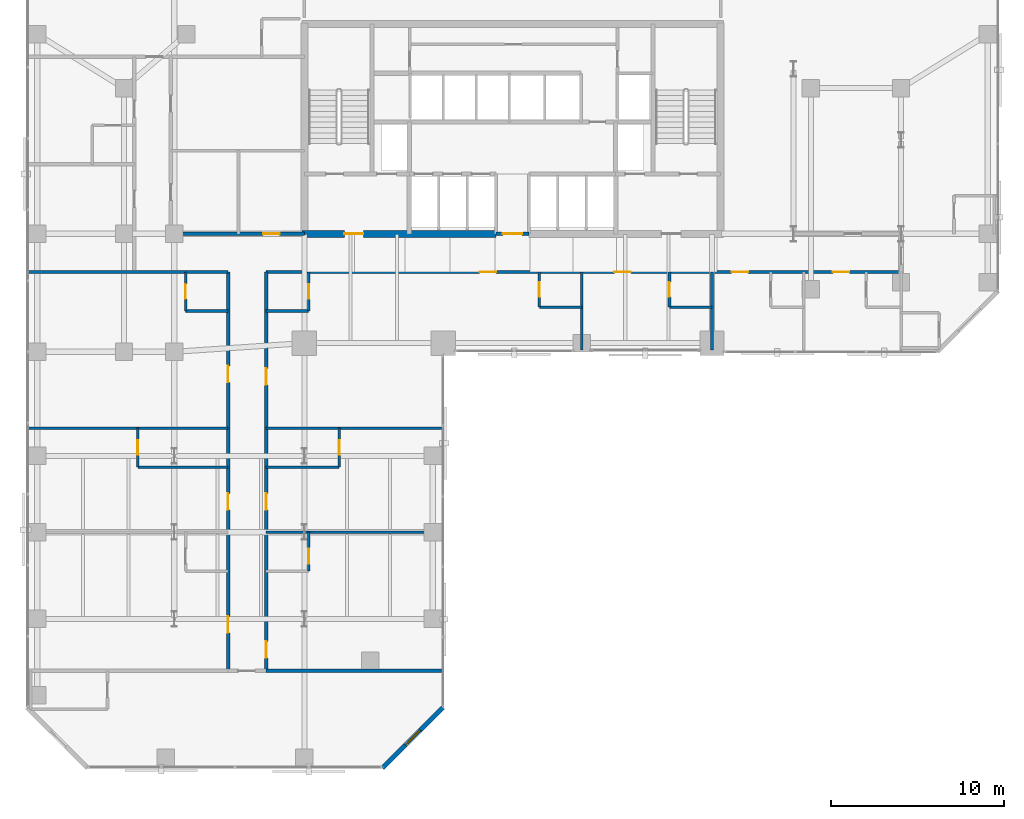
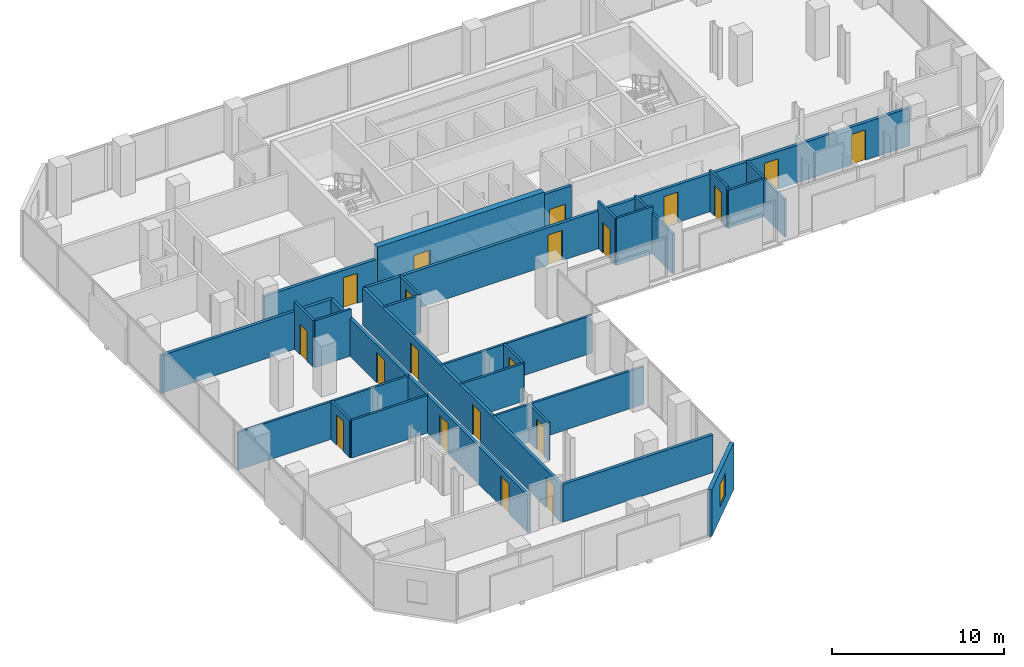
# One storey, part 27 of 32: 27 walls, 20 doors, 1 window, 21 openings.
"""IFC4 building model written with IfcOpenShell, lengths in metres."""

from ifc_helpers import new_model, si_unit, direction, frame, frame_2d, origin, place, context, subcontext, project, spatial, rectangle, extrude, material, layer, layer_set, type_object, element, fill, save


model = new_model("IFC4")

# Units and contexts
model_context = context("Model", 3, precision=1e-05, world=origin(), true_north=direction((0.0, 1.0)))
body_context = subcontext(model_context, "Body", "Model", "MODEL_VIEW")
ifc_project = project(units=[si_unit("LENGTHUNIT", "METRE"), si_unit("AREAUNIT", "SQUARE_METRE"), si_unit("VOLUMEUNIT", "CUBIC_METRE"), si_unit("PLANEANGLEUNIT", "RADIAN"), si_unit("MASSUNIT", "GRAM", prefix="KILO")], contexts=[model_context])

# Site, building, storey
site_placement = place(None, origin())
site = spatial("IfcSite", under=ifc_project, at=site_placement, CompositionType="ELEMENT")
building_placement = place(site_placement, origin())
building = spatial("IfcBuilding", under=site, at=building_placement, Name="Catumbela Crestline Tower", CompositionType="ELEMENT")
storey_placement = place(building_placement, frame((0.0, 0.0, 33.0)))
storey = spatial("IfcBuildingStorey", under=building, at=storey_placement, Name="L07", CompositionType="ELEMENT", Elevation=33.0)

# Wall, opening, door
ifc_material_1 = material(Name="Concrete C60/75", Category="concrete")
ifc_layer_1 = layer(ifc_material_1, 0.4, Name="Concrete C60/75")
ifc_layer_set_1 = layer_set([ifc_layer_1], Name="Concrete C60/75")
wall_type_1 = type_object("IfcWallType", Name="CW-400A", PredefinedType="SHEAR", material=ifc_layer_set_1)
wall_1_placement = place(storey_placement, frame((15.85, 30.8, 0.0), z_axis=(0.0, 0.0, 1.0), x_axis=(1.0, 0.0, 0.0)))
wall_1 = element("IfcWall", 1, at=wall_1_placement, inside=storey, type_object=wall_type_1, Name="L07 Structural Core Shear Wall SW", PredefinedType="SHEAR", context=body_context, shape_type="SweptSolid", body=[
    extrude(rectangle(XDim=11.2, YDim=0.4, at=frame_2d((5.6, 0.0))), origin(), (0.0, 0.0, 1.0), 3.6),
])
opening_1_placement = place(wall_1_placement, frame((2.45, 0.0, 0.0)))
opening_1 = element("IfcOpeningElement", 2, at=opening_1_placement, cuts=wall_1, Name="Opening DF9-110", PredefinedType="OPENING", context=body_context, shape_type="SweptSolid", body=[
    extrude(rectangle(XDim=1.1, YDim=2.15, at=frame_2d((0.55, 1.075))), frame((0.0, 0.21, 0.0), z_axis=(0.0, -1.0, 0.0), x_axis=(1.0, 0.0, 0.0)), (0.0, 0.0, 1.0), 0.42),
])
ifc_material_2 = material(Name="Stainless steel EN 1.4401", Category="steel")
door_type_1 = type_object("IfcDoorType", Name="DF9-110", OperationType="NOTDEFINED", PredefinedType="DOOR", material=ifc_material_2)
door_1_placement = place(opening_1_placement, origin())
door_1 = element("IfcDoor", 3, at=door_1_placement, inside=storey, type_object=door_type_1, Name="L07 Interior Door DR-L07-FFW-S", OperationType="SINGLE_SWING_LEFT", OverallHeight=2.15, OverallWidth=1.1, PredefinedType="DOOR", context=body_context, shape_type="SweptSolid", body=[
    extrude(rectangle(XDim=1.1, YDim=2.15, at=frame_2d((0.55, 1.075))), frame((0.0, 0.025, 0.0), z_axis=(0.0, -1.0, 0.0), x_axis=(1.0, 0.0, 0.0)), (0.0, 0.0, 1.0), 0.05),
])
fill(opening_1, door_1)

ifc_material_3 = material(Name="Acoustic gypsum and mineral-wool partition")
ifc_layer_2 = layer(ifc_material_3, 0.2, Name="Acoustic gypsum and mineral-wool partition")
ifc_layer_set_2 = layer_set([ifc_layer_2], Name="Acoustic gypsum and mineral-wool partition")
wall_type_2 = type_object("IfcWallType", Name="WC-200", PredefinedType="PARTITIONING", material=ifc_layer_set_2)
wall_2_placement = place(storey_placement, frame((27.05, 30.8, 0.0), z_axis=(0.0, 0.0, 1.0), x_axis=(1.0, 0.0, 0.0)))
wall_2 = element("IfcWall", 4, at=wall_2_placement, inside=storey, type_object=wall_type_2, Name="L07 Interior Partition PW-L07-CLOBS", PredefinedType="PARTITIONING", context=body_context, shape_type="SweptSolid", body=[
    extrude(rectangle(XDim=1.9, YDim=0.2, at=frame_2d((0.95, 0.0))), origin(), (0.0, 0.0, 1.0), 3.33),
])
opening_2_placement = place(wall_2_placement, frame((0.4, 0.0, 0.0)))
opening_2 = element("IfcOpeningElement", 5, at=opening_2_placement, cuts=wall_2, Name="Opening DF9-110", PredefinedType="OPENING", context=body_context, shape_type="SweptSolid", body=[
    extrude(rectangle(XDim=1.1, YDim=2.15, at=frame_2d((0.55, 1.075))), frame((0.0, 0.11, 0.0), z_axis=(0.0, -1.0, 0.0), x_axis=(1.0, 0.0, 0.0)), (0.0, 0.0, 1.0), 0.22),
])
door_2_placement = place(opening_2_placement, origin())
door_2 = element("IfcDoor", 6, at=door_2_placement, inside=storey, type_object=door_type_1, Name="L07 Interior Door DR-L07-CLOBS", OperationType="SINGLE_SWING_LEFT", OverallHeight=2.15, OverallWidth=1.1, PredefinedType="DOOR", context=body_context, shape_type="SweptSolid", body=[
    extrude(rectangle(XDim=1.1, YDim=2.15, at=frame_2d((0.55, 1.075))), frame((0.0, 0.025, 0.0), z_axis=(0.0, -1.0, 0.0), x_axis=(1.0, 0.0, 0.0)), (0.0, 0.0, 1.0), 0.05),
])
fill(opening_2, door_2)

# Wall
wall_3_placement = place(storey_placement, frame((0.1, 28.6, 0.0), z_axis=(0.0, 0.0, 1.0), x_axis=(1.0, 0.0, 0.0)))
element("IfcWall", 7, at=wall_3_placement, inside=storey, type_object=wall_type_2, Name="L07 Interior Partition PW-L07-CWGL-N", PredefinedType="PARTITIONING", context=body_context, shape_type="SweptSolid", body=[
    extrude(rectangle(XDim=11.5, YDim=0.2, at=frame_2d((5.75, 0.0))), origin(), (0.0, 0.0, 1.0), 2.68),
])

# Wall, openings, doors
wall_4_placement = place(storey_placement, frame((13.8, 28.6, 0.0), z_axis=(0.0, 0.0, 1.0), x_axis=(1.0, 0.0, 0.0)))
wall_4 = element("IfcWall", 8, at=wall_4_placement, inside=storey, type_object=wall_type_2, Name="L07 Interior Partition PW-L07-CWGR-N", PredefinedType="PARTITIONING", context=body_context, shape_type="SweptSolid", body=[
    extrude(rectangle(XDim=36.6, YDim=0.2, at=frame_2d((18.3, 0.0))), origin(), (0.0, 0.0, 1.0), 2.68),
])
opening_3_placement = place(wall_4_placement, frame((12.3, 0.0, 0.0)))
opening_3 = element("IfcOpeningElement", 9, at=opening_3_placement, cuts=wall_4, Name="Opening DF6-095", PredefinedType="OPENING", context=body_context, shape_type="SweptSolid", body=[
    extrude(rectangle(XDim=0.95, YDim=2.15, at=frame_2d((0.475, 1.075))), frame((0.0, 0.11, 0.0), z_axis=(0.0, -1.0, 0.0), x_axis=(1.0, 0.0, 0.0)), (0.0, 0.0, 1.0), 0.22),
])
opening_4_placement = place(wall_4_placement, frame((20.075, 0.0, 0.0)))
opening_4 = element("IfcOpeningElement", 10, at=opening_4_placement, cuts=wall_4, Name="Opening DF6-095", PredefinedType="OPENING", context=body_context, shape_type="SweptSolid", body=[
    extrude(rectangle(XDim=0.95, YDim=2.15, at=frame_2d((0.475, 1.075))), frame((0.0, 0.11, 0.0), z_axis=(0.0, -1.0, 0.0), x_axis=(1.0, 0.0, 0.0)), (0.0, 0.0, 1.0), 0.22),
])
opening_5_placement = place(wall_4_placement, frame((26.8289, 0.0, 0.0)))
opening_5 = element("IfcOpeningElement", 11, at=opening_5_placement, cuts=wall_4, Name="Opening DF6-095", PredefinedType="OPENING", context=body_context, shape_type="SweptSolid", body=[
    extrude(rectangle(XDim=0.95, YDim=2.15, at=frame_2d((0.475, 1.075))), frame((0.0, 0.11, 0.0), z_axis=(0.0, -1.0, 0.0), x_axis=(1.0, 0.0, 0.0)), (0.0, 0.0, 1.0), 0.22),
])
opening_6_placement = place(wall_4_placement, frame((32.6691, 0.0, 0.0)))
opening_6 = element("IfcOpeningElement", 12, at=opening_6_placement, cuts=wall_4, Name="Opening DF6-095", PredefinedType="OPENING", context=body_context, shape_type="SweptSolid", body=[
    extrude(rectangle(XDim=0.95, YDim=2.15, at=frame_2d((0.475, 1.075))), frame((0.0, 0.11, 0.0), z_axis=(0.0, -1.0, 0.0), x_axis=(1.0, 0.0, 0.0)), (0.0, 0.0, 1.0), 0.22),
])
ifc_material_4 = material(Name="Aluminium alloy AW-6060-T66", Category="aluminium")
door_type_2 = type_object("IfcDoorType", Name="DF6-095", OperationType="NOTDEFINED", PredefinedType="DOOR", material=ifc_material_4)
door_3_placement = place(opening_3_placement, origin())
door_3 = element("IfcDoor", 13, at=door_3_placement, inside=storey, type_object=door_type_2, Name="L07 Interior Door DR-L07-K1-ENT", OperationType="SINGLE_SWING_LEFT", OverallHeight=2.15, OverallWidth=0.95, PredefinedType="DOOR", context=body_context, shape_type="SweptSolid", body=[
    extrude(rectangle(XDim=0.95, YDim=2.15, at=frame_2d((0.475, 1.075))), frame((0.0, 0.025, 0.0), z_axis=(0.0, -1.0, 0.0), x_axis=(1.0, 0.0, 0.0)), (0.0, 0.0, 1.0), 0.05),
])
fill(opening_3, door_3)
door_4_placement = place(opening_4_placement, origin())
door_4 = element("IfcDoor", 14, at=door_4_placement, inside=storey, type_object=door_type_2, Name="L07 Interior Door DR-L07-K2-ENT", OperationType="SINGLE_SWING_RIGHT", OverallHeight=2.15, OverallWidth=0.95, PredefinedType="DOOR", context=body_context, shape_type="SweptSolid", body=[
    extrude(rectangle(XDim=0.95, YDim=2.15, at=frame_2d((0.475, 1.075))), frame((0.0, 0.025, 0.0), z_axis=(0.0, -1.0, 0.0), x_axis=(1.0, 0.0, 0.0)), (0.0, 0.0, 1.0), 0.05),
])
fill(opening_4, door_4)
door_5_placement = place(opening_5_placement, origin())
door_5 = element("IfcDoor", 15, at=door_5_placement, inside=storey, type_object=door_type_2, Name="L07 Interior Door DR-L07-K3-ENT", OperationType="SINGLE_SWING_LEFT", OverallHeight=2.15, OverallWidth=0.95, PredefinedType="DOOR", context=body_context, shape_type="SweptSolid", body=[
    extrude(rectangle(XDim=0.95, YDim=2.15, at=frame_2d((0.475, 1.075))), frame((0.0, 0.025, 0.0), z_axis=(0.0, -1.0, 0.0), x_axis=(1.0, 0.0, 0.0)), (0.0, 0.0, 1.0), 0.05),
])
fill(opening_5, door_5)
door_6_placement = place(opening_6_placement, origin())
door_6 = element("IfcDoor", 16, at=door_6_placement, inside=storey, type_object=door_type_2, Name="L07 Interior Door DR-L07-K4-ENT", OperationType="SINGLE_SWING_RIGHT", OverallHeight=2.15, OverallWidth=0.95, PredefinedType="DOOR", context=body_context, shape_type="SweptSolid", body=[
    extrude(rectangle(XDim=0.95, YDim=2.15, at=frame_2d((0.475, 1.075))), frame((0.0, 0.025, 0.0), z_axis=(0.0, -1.0, 0.0), x_axis=(1.0, 0.0, 0.0)), (0.0, 0.0, 1.0), 0.05),
])
fill(opening_6, door_6)

# Wall, opening, door
wall_5_placement = place(storey_placement, frame((8.3, 30.8, 0.0), z_axis=(0.0, 0.0, 1.0), x_axis=(1.0, 0.0, 0.0)))
wall_5 = element("IfcWall", 17, at=wall_5_placement, inside=storey, type_object=wall_type_2, Name="L07 Interior Partition PW-L07-HK-S", PredefinedType="PARTITIONING", context=body_context, shape_type="SweptSolid", body=[
    extrude(rectangle(XDim=7.7, YDim=0.2, at=frame_2d((3.85, 0.0))), origin(), (0.0, 0.0, 1.0), 2.68),
])
opening_7_placement = place(wall_5_placement, frame((5.325, 0.0, 0.0)))
opening_7 = element("IfcOpeningElement", 18, at=opening_7_placement, cuts=wall_5, Name="Opening DF6-095", PredefinedType="OPENING", context=body_context, shape_type="SweptSolid", body=[
    extrude(rectangle(XDim=0.95, YDim=2.15, at=frame_2d((0.475, 1.075))), frame((0.0, 0.11, 0.0), z_axis=(0.0, -1.0, 0.0), x_axis=(1.0, 0.0, 0.0)), (0.0, 0.0, 1.0), 0.22),
])
door_7_placement = place(opening_7_placement, origin())
door_7 = element("IfcDoor", 19, at=door_7_placement, inside=storey, type_object=door_type_2, Name="L07 Interior Door DR-L07-HKP", OperationType="SINGLE_SWING_LEFT", OverallHeight=2.15, OverallWidth=0.95, PredefinedType="DOOR", context=body_context, shape_type="SweptSolid", body=[
    extrude(rectangle(XDim=0.95, YDim=2.15, at=frame_2d((0.475, 1.075))), frame((0.0, 0.025, 0.0), z_axis=(0.0, -1.0, 0.0), x_axis=(1.0, 0.0, 0.0)), (0.0, 0.0, 1.0), 0.05),
])
fill(opening_7, door_7)

# Wall, openings, doors
wall_6_placement = place(storey_placement, frame((11.6, 5.6, 0.0), z_axis=(0.0, 0.0, 1.0), x_axis=(0.0, 1.0, 0.0)))
wall_6 = element("IfcWall", 20, at=wall_6_placement, inside=storey, type_object=wall_type_2, Name="L07 Interior Partition PW-L07-WL1-ENT", PredefinedType="PARTITIONING", context=body_context, shape_type="SweptSolid", body=[
    extrude(rectangle(XDim=23.0, YDim=0.2, at=frame_2d((11.5, 0.0))), origin(), (0.0, 0.0, 1.0), 2.68),
])
opening_8_placement = place(wall_6_placement, frame((2.19, 0.0, 0.0)))
opening_8 = element("IfcOpeningElement", 21, at=opening_8_placement, cuts=wall_6, Name="Opening DF6-095", PredefinedType="OPENING", context=body_context, shape_type="SweptSolid", body=[
    extrude(rectangle(XDim=0.95, YDim=2.15, at=frame_2d((0.475, 1.075))), frame((0.0, 0.11, 0.0), z_axis=(0.0, -1.0, 0.0), x_axis=(1.0, 0.0, 0.0)), (0.0, 0.0, 1.0), 0.22),
])
opening_9_placement = place(wall_6_placement, frame((9.29, 0.0, 0.0)))
opening_9 = element("IfcOpeningElement", 22, at=opening_9_placement, cuts=wall_6, Name="Opening DF6-095", PredefinedType="OPENING", context=body_context, shape_type="SweptSolid", body=[
    extrude(rectangle(XDim=0.95, YDim=2.15, at=frame_2d((0.475, 1.075))), frame((0.0, 0.11, 0.0), z_axis=(0.0, -1.0, 0.0), x_axis=(1.0, 0.0, 0.0)), (0.0, 0.0, 1.0), 0.22),
])
opening_10_placement = place(wall_6_placement, frame((16.64, 0.0, 0.0)))
opening_10 = element("IfcOpeningElement", 23, at=opening_10_placement, cuts=wall_6, Name="Opening DF6-095", PredefinedType="OPENING", context=body_context, shape_type="SweptSolid", body=[
    extrude(rectangle(XDim=0.95, YDim=2.15, at=frame_2d((0.475, 1.075))), frame((0.0, 0.11, 0.0), z_axis=(0.0, -1.0, 0.0), x_axis=(1.0, 0.0, 0.0)), (0.0, 0.0, 1.0), 0.22),
])
door_8_placement = place(opening_8_placement, origin())
door_8 = element("IfcDoor", 24, at=door_8_placement, inside=storey, type_object=door_type_2, Name="L07 Interior Door DR-L07-WL1-ENT", OperationType="SINGLE_SWING_LEFT", OverallHeight=2.15, OverallWidth=0.95, PredefinedType="DOOR", context=body_context, shape_type="SweptSolid", body=[
    extrude(rectangle(XDim=0.95, YDim=2.15, at=frame_2d((0.475, 1.075))), frame((0.0, 0.025, 0.0), z_axis=(0.0, -1.0, 0.0), x_axis=(1.0, 0.0, 0.0)), (0.0, 0.0, 1.0), 0.05),
])
fill(opening_8, door_8)
door_9_placement = place(opening_9_placement, origin())
door_9 = element("IfcDoor", 25, at=door_9_placement, inside=storey, type_object=door_type_2, Name="L07 Interior Door DR-L07-WL2-ENT", OperationType="SINGLE_SWING_RIGHT", OverallHeight=2.15, OverallWidth=0.95, PredefinedType="DOOR", context=body_context, shape_type="SweptSolid", body=[
    extrude(rectangle(XDim=0.95, YDim=2.15, at=frame_2d((0.475, 1.075))), frame((0.0, 0.025, 0.0), z_axis=(0.0, -1.0, 0.0), x_axis=(1.0, 0.0, 0.0)), (0.0, 0.0, 1.0), 0.05),
])
fill(opening_9, door_9)
door_10_placement = place(opening_10_placement, origin())
door_10 = element("IfcDoor", 26, at=door_10_placement, inside=storey, type_object=door_type_2, Name="L07 Interior Door DR-L07-WL3-ENT", OperationType="SINGLE_SWING_LEFT", OverallHeight=2.15, OverallWidth=0.95, PredefinedType="DOOR", context=body_context, shape_type="SweptSolid", body=[
    extrude(rectangle(XDim=0.95, YDim=2.15, at=frame_2d((0.475, 1.075))), frame((0.0, 0.025, 0.0), z_axis=(0.0, -1.0, 0.0), x_axis=(1.0, 0.0, 0.0)), (0.0, 0.0, 1.0), 0.05),
])
fill(opening_10, door_10)

wall_7_placement = place(storey_placement, frame((13.8, 5.6, 0.0), z_axis=(0.0, 0.0, 1.0), x_axis=(0.0, 1.0, 0.0)))
wall_7 = element("IfcWall", 27, at=wall_7_placement, inside=storey, type_object=wall_type_2, Name="L07 Interior Partition PW-L07-WR1-ENT", PredefinedType="PARTITIONING", context=body_context, shape_type="SweptSolid", body=[
    extrude(rectangle(XDim=23.0, YDim=0.2, at=frame_2d((11.5, 0.0))), origin(), (0.0, 0.0, 1.0), 2.68),
])
opening_11_placement = place(wall_7_placement, frame((0.7516, 0.0, 0.0)))
opening_11 = element("IfcOpeningElement", 28, at=opening_11_placement, cuts=wall_7, Name="Opening DF6-095", PredefinedType="OPENING", context=body_context, shape_type="SweptSolid", body=[
    extrude(rectangle(XDim=0.95, YDim=2.15, at=frame_2d((0.475, 1.075))), frame((0.0, 0.11, 0.0), z_axis=(0.0, -1.0, 0.0), x_axis=(1.0, 0.0, 0.0)), (0.0, 0.0, 1.0), 0.22),
])
opening_12_placement = place(wall_7_placement, frame((9.29, 0.0, 0.0)))
opening_12 = element("IfcOpeningElement", 29, at=opening_12_placement, cuts=wall_7, Name="Opening DF6-095", PredefinedType="OPENING", context=body_context, shape_type="SweptSolid", body=[
    extrude(rectangle(XDim=0.95, YDim=2.15, at=frame_2d((0.475, 1.075))), frame((0.0, 0.11, 0.0), z_axis=(0.0, -1.0, 0.0), x_axis=(1.0, 0.0, 0.0)), (0.0, 0.0, 1.0), 0.22),
])
opening_13_placement = place(wall_7_placement, frame((16.4941, 0.0, 0.0)))
opening_13 = element("IfcOpeningElement", 30, at=opening_13_placement, cuts=wall_7, Name="Opening DF6-095", PredefinedType="OPENING", context=body_context, shape_type="SweptSolid", body=[
    extrude(rectangle(XDim=0.95, YDim=2.15, at=frame_2d((0.475, 1.075))), frame((0.0, 0.11, 0.0), z_axis=(0.0, -1.0, 0.0), x_axis=(1.0, 0.0, 0.0)), (0.0, 0.0, 1.0), 0.22),
])
door_11_placement = place(opening_11_placement, origin())
door_11 = element("IfcDoor", 31, at=door_11_placement, inside=storey, type_object=door_type_2, Name="L07 Interior Door DR-L07-WR1-ENT", OperationType="SINGLE_SWING_LEFT", OverallHeight=2.15, OverallWidth=0.95, PredefinedType="DOOR", context=body_context, shape_type="SweptSolid", body=[
    extrude(rectangle(XDim=0.95, YDim=2.15, at=frame_2d((0.475, 1.075))), frame((0.0, 0.025, 0.0), z_axis=(0.0, -1.0, 0.0), x_axis=(1.0, 0.0, 0.0)), (0.0, 0.0, 1.0), 0.05),
])
fill(opening_11, door_11)
door_12_placement = place(opening_12_placement, origin())
door_12 = element("IfcDoor", 32, at=door_12_placement, inside=storey, type_object=door_type_2, Name="L07 Interior Door DR-L07-WR2-ENT", OperationType="SINGLE_SWING_RIGHT", OverallHeight=2.15, OverallWidth=0.95, PredefinedType="DOOR", context=body_context, shape_type="SweptSolid", body=[
    extrude(rectangle(XDim=0.95, YDim=2.15, at=frame_2d((0.475, 1.075))), frame((0.0, 0.025, 0.0), z_axis=(0.0, -1.0, 0.0), x_axis=(1.0, 0.0, 0.0)), (0.0, 0.0, 1.0), 0.05),
])
fill(opening_12, door_12)
door_13_placement = place(opening_13_placement, origin())
door_13 = element("IfcDoor", 33, at=door_13_placement, inside=storey, type_object=door_type_2, Name="L07 Interior Door DR-L07-WR3-ENT", OperationType="SINGLE_SWING_LEFT", OverallHeight=2.15, OverallWidth=0.95, PredefinedType="DOOR", context=body_context, shape_type="SweptSolid", body=[
    extrude(rectangle(XDim=0.95, YDim=2.15, at=frame_2d((0.475, 1.075))), frame((0.0, 0.025, 0.0), z_axis=(0.0, -1.0, 0.0), x_axis=(1.0, 0.0, 0.0)), (0.0, 0.0, 1.0), 0.05),
])
fill(opening_13, door_13)

# Wall, opening, window
ifc_material_5 = material(Name="Angolan grey-ochre granite", Category="masonry")
ifc_layer_3 = layer(ifc_material_5, 0.25, Name="Angolan grey-ochre granite")
ifc_layer_set_3 = layer_set([ifc_layer_3], Name="Angolan grey-ochre granite")
wall_type_3 = type_object("IfcWallType", Name="WE-250", PredefinedType="STANDARD", material=ifc_layer_set_3)
wall_8_placement = place(storey_placement, frame((20.5, 0.0, 0.0), z_axis=(0.0, 0.0, 1.0), x_axis=(0.707106781187, 0.707106781187, 0.0)))
wall_8 = element("IfcWall", 34, at=wall_8_placement, inside=storey, type_object=wall_type_3, Name="L07 Granite Punched Window Wall 1-1", PredefinedType="STANDARD", context=body_context, shape_type="SweptSolid", body=[
    extrude(rectangle(XDim=4.9497, YDim=0.25, at=frame_2d((2.4748, 0.0))), origin(), (0.0, 0.0, 1.0), 3.33),
])
opening_14_placement = place(wall_8_placement, frame((1.8748, 0.0, 0.85)))
opening_14 = element("IfcOpeningElement", 35, at=opening_14_placement, cuts=wall_8, Name="Opening WN-02", PredefinedType="OPENING", context=body_context, shape_type="SweptSolid", body=[
    extrude(rectangle(XDim=1.2, YDim=1.6, at=frame_2d((0.6, 0.8))), frame((0.0, 0.135, 0.0), z_axis=(0.0, -1.0, 0.0), x_axis=(1.0, 0.0, 0.0)), (0.0, 0.0, 1.0), 0.27),
])
ifc_material_6 = material(Name="Low-E laminated solar-control double glazing", Category="glass")
window_type = type_object("IfcWindowType", Name="WO-1200", PartitioningType="SINGLE_PANEL", PredefinedType="WINDOW", material=ifc_material_6)
window_placement = place(opening_14_placement, origin())
window = element("IfcWindow", 36, at=window_placement, inside=storey, type_object=window_type, Name="L07 Facade Vision Window 58", OverallHeight=1.6, OverallWidth=1.2, PartitioningType="SINGLE_PANEL", PredefinedType="WINDOW", context=body_context, shape_type="SweptSolid", body=[
    extrude(rectangle(XDim=1.2, YDim=1.6, at=frame_2d((0.6, 0.8))), frame((0.0, 0.03, 0.0), z_axis=(0.0, -1.0, 0.0), x_axis=(1.0, 0.0, 0.0)), (0.0, 0.0, 1.0), 0.06),
])
fill(opening_14, window)

# Wall
ifc_layer_4 = layer(ifc_material_3, 0.15, Name="Acoustic gypsum and mineral-wool partition")
ifc_layer_set_4 = layer_set([ifc_layer_4], Name="Acoustic gypsum and mineral-wool partition")
wall_type_4 = type_object("IfcWallType", Name="WP-150", PredefinedType="PARTITIONING", material=ifc_layer_set_4)
wall_9_placement = place(storey_placement, frame((29.55, 26.576, 0.0), z_axis=(0.0, 0.0, 1.0), x_axis=(1.0, 0.0, 0.0)))
element("IfcWall", 37, at=wall_9_placement, inside=storey, type_object=wall_type_4, Name="L07 Interior Partition PW-L07-K1-BHW", PredefinedType="PARTITIONING", context=body_context, shape_type="SweptSolid", body=[
    extrude(rectangle(XDim=2.45, YDim=0.15, at=frame_2d((1.225, 0.0))), origin(), (0.0, 0.0, 1.0), 3.33),
])

# Wall, opening, door
wall_10_placement = place(storey_placement, frame((29.55, 26.576, 0.0), z_axis=(0.0, 0.0, 1.0), x_axis=(0.0, 1.0, 0.0)))
wall_10 = element("IfcWall", 38, at=wall_10_placement, inside=storey, type_object=wall_type_4, Name="L07 Interior Partition PW-L07-K1-BWW", PredefinedType="PARTITIONING", context=body_context, shape_type="SweptSolid", body=[
    extrude(rectangle(XDim=2.024, YDim=0.15, at=frame_2d((1.012, 0.0))), origin(), (0.0, 0.0, 1.0), 3.33),
])
opening_15_placement = place(wall_10_placement, frame((0.587, 0.0, 0.0)))
opening_15 = element("IfcOpeningElement", 39, at=opening_15_placement, cuts=wall_10, Name="Opening DI-085", PredefinedType="OPENING", context=body_context, shape_type="SweptSolid", body=[
    extrude(rectangle(XDim=0.85, YDim=2.15, at=frame_2d((0.425, 1.075))), frame((0.0, 0.085, 0.0), z_axis=(0.0, -1.0, 0.0), x_axis=(1.0, 0.0, 0.0)), (0.0, 0.0, 1.0), 0.17),
])
door_type_3 = type_object("IfcDoorType", Name="DI-085", OperationType="NOTDEFINED", PredefinedType="DOOR", material=ifc_material_4)
door_14_placement = place(opening_15_placement, origin())
door_14 = element("IfcDoor", 40, at=door_14_placement, inside=storey, type_object=door_type_3, Name="L07 Interior Door DR-L07-K1-BTH", OperationType="SINGLE_SWING_RIGHT", OverallHeight=2.15, OverallWidth=0.85, PredefinedType="DOOR", context=body_context, shape_type="SweptSolid", body=[
    extrude(rectangle(XDim=0.85, YDim=2.15, at=frame_2d((0.425, 1.075))), frame((0.0, 0.025, 0.0), z_axis=(0.0, -1.0, 0.0), x_axis=(1.0, 0.0, 0.0)), (0.0, 0.0, 1.0), 0.05),
])
fill(opening_15, door_14)

# Walls
wall_11_placement = place(storey_placement, frame((32.0, 28.6, 0.0), z_axis=(0.0, 0.0, 1.0), x_axis=(0.0, -1.0, 0.0)))
element("IfcWall", 41, at=wall_11_placement, inside=storey, type_object=wall_type_4, Name="L07 Interior Partition PW-L07-K1-BCL-2", PredefinedType="PARTITIONING", context=body_context, shape_type="SweptSolid", body=[
    extrude(rectangle(XDim=4.5, YDim=0.15, at=frame_2d((2.25, 0.0))), origin(), (0.0, 0.0, 1.0), 2.87),
])
wall_12_placement = place(storey_placement, frame((37.05, 26.576, 0.0), z_axis=(0.0, 0.0, 1.0), x_axis=(1.0, 0.0, 0.0)))
element("IfcWall", 42, at=wall_12_placement, inside=storey, type_object=wall_type_4, Name="L07 Interior Partition PW-L07-K2-BHW", PredefinedType="PARTITIONING", context=body_context, shape_type="SweptSolid", body=[
    extrude(rectangle(XDim=2.45, YDim=0.15, at=frame_2d((1.225, 0.0))), origin(), (0.0, 0.0, 1.0), 2.68),
])

# Wall, opening, door
wall_13_placement = place(storey_placement, frame((37.05, 26.576, 0.0), z_axis=(0.0, 0.0, 1.0), x_axis=(0.0, 1.0, 0.0)))
wall_13 = element("IfcWall", 43, at=wall_13_placement, inside=storey, type_object=wall_type_4, Name="L07 Interior Partition PW-L07-K2-BWW", PredefinedType="PARTITIONING", context=body_context, shape_type="SweptSolid", body=[
    extrude(rectangle(XDim=2.024, YDim=0.15, at=frame_2d((1.012, 0.0))), origin(), (0.0, 0.0, 1.0), 2.92),
])
opening_16_placement = place(wall_13_placement, frame((0.587, 0.0, 0.0)))
opening_16 = element("IfcOpeningElement", 44, at=opening_16_placement, cuts=wall_13, Name="Opening DI-085", PredefinedType="OPENING", context=body_context, shape_type="SweptSolid", body=[
    extrude(rectangle(XDim=0.85, YDim=2.15, at=frame_2d((0.425, 1.075))), frame((0.0, 0.085, 0.0), z_axis=(0.0, -1.0, 0.0), x_axis=(1.0, 0.0, 0.0)), (0.0, 0.0, 1.0), 0.17),
])
door_15_placement = place(opening_16_placement, origin())
door_15 = element("IfcDoor", 45, at=door_15_placement, inside=storey, type_object=door_type_3, Name="L07 Interior Door DR-L07-K2-BTH", OperationType="SINGLE_SWING_RIGHT", OverallHeight=2.15, OverallWidth=0.85, PredefinedType="DOOR", context=body_context, shape_type="SweptSolid", body=[
    extrude(rectangle(XDim=0.85, YDim=2.15, at=frame_2d((0.425, 1.075))), frame((0.0, 0.025, 0.0), z_axis=(0.0, -1.0, 0.0), x_axis=(1.0, 0.0, 0.0)), (0.0, 0.0, 1.0), 0.05),
])
fill(opening_16, door_15)

# Wall
wall_14_placement = place(storey_placement, frame((39.5, 28.6, 0.0), z_axis=(0.0, 0.0, 1.0), x_axis=(0.0, -1.0, 0.0)))
element("IfcWall", 46, at=wall_14_placement, inside=storey, type_object=wall_type_4, Name="L07 Interior Partition PW-L07-K2-BCL-2", PredefinedType="PARTITIONING", context=body_context, shape_type="SweptSolid", body=[
    extrude(rectangle(XDim=4.5, YDim=0.15, at=frame_2d((2.25, 0.0))), origin(), (0.0, 0.0, 1.0), 2.68),
])

# Wall, opening, door
wall_15_placement = place(storey_placement, frame((16.25, 11.35, 0.0), z_axis=(0.0, 0.0, 1.0), x_axis=(0.0, 1.0, 0.0)))
wall_15 = element("IfcWall", 47, at=wall_15_placement, inside=storey, type_object=wall_type_4, Name="L07 Interior Partition PW-L07-WR1-BEW", PredefinedType="PARTITIONING", context=body_context, shape_type="SweptSolid", body=[
    extrude(rectangle(XDim=2.25, YDim=0.15, at=frame_2d((1.125, 0.0))), origin(), (0.0, 0.0, 1.0), 2.68),
])
opening_17_placement = place(wall_15_placement, frame((0.4444, 0.0, 0.0)))
opening_17 = element("IfcOpeningElement", 48, at=opening_17_placement, cuts=wall_15, Name="Opening DI-085", PredefinedType="OPENING", context=body_context, shape_type="SweptSolid", body=[
    extrude(rectangle(XDim=0.85, YDim=2.15, at=frame_2d((0.425, 1.075))), frame((0.0, 0.085, 0.0), z_axis=(0.0, -1.0, 0.0), x_axis=(1.0, 0.0, 0.0)), (0.0, 0.0, 1.0), 0.17),
])
door_16_placement = place(opening_17_placement, origin())
door_16 = element("IfcDoor", 49, at=door_16_placement, inside=storey, type_object=door_type_3, Name="L07 Interior Door DR-L07-WR1-BTH", OperationType="SINGLE_SWING_LEFT", OverallHeight=2.15, OverallWidth=0.85, PredefinedType="DOOR", context=body_context, shape_type="SweptSolid", body=[
    extrude(rectangle(XDim=0.85, YDim=2.15, at=frame_2d((0.425, 1.075))), frame((0.0, 0.025, 0.0), z_axis=(0.0, -1.0, 0.0), x_axis=(1.0, 0.0, 0.0)), (0.0, 0.0, 1.0), 0.05),
])
fill(opening_17, door_16)

# Walls
wall_16_placement = place(storey_placement, frame((13.8, 13.6, 0.0), z_axis=(0.0, 0.0, 1.0), x_axis=(1.0, 0.0, 0.0)))
element("IfcWall", 50, at=wall_16_placement, inside=storey, type_object=wall_type_4, Name="L07 Interior Partition PW-L07-WR1-BCL-1", PredefinedType="PARTITIONING", context=body_context, shape_type="SweptSolid", body=[
    extrude(rectangle(XDim=10.1, YDim=0.15, at=frame_2d((5.05, 0.0))), origin(), (0.0, 0.0, 1.0), 2.68),
])
wall_17_placement = place(storey_placement, frame((6.4, 17.35, 0.0), z_axis=(0.0, 0.0, 1.0), x_axis=(1.0, 0.0, 0.0)))
element("IfcWall", 51, at=wall_17_placement, inside=storey, type_object=wall_type_4, Name="L07 Interior Partition PW-L07-WL2-BSW", PredefinedType="PARTITIONING", context=body_context, shape_type="SweptSolid", body=[
    extrude(rectangle(XDim=5.2, YDim=0.15, at=frame_2d((2.6, 0.0))), origin(), (0.0, 0.0, 1.0), 2.68),
])

# Wall, opening, door
wall_18_placement = place(storey_placement, frame((6.4, 17.35, 0.0), z_axis=(0.0, 0.0, 1.0), x_axis=(0.0, 1.0, 0.0)))
wall_18 = element("IfcWall", 52, at=wall_18_placement, inside=storey, type_object=wall_type_4, Name="L07 Interior Partition PW-L07-WL2-BWW", PredefinedType="PARTITIONING", context=body_context, shape_type="SweptSolid", body=[
    extrude(rectangle(XDim=2.25, YDim=0.15, at=frame_2d((1.125, 0.0))), origin(), (0.0, 0.0, 1.0), 2.68),
])
opening_18_placement = place(wall_18_placement, frame((0.7, 0.0, 0.0)))
opening_18 = element("IfcOpeningElement", 53, at=opening_18_placement, cuts=wall_18, Name="Opening DI-085", PredefinedType="OPENING", context=body_context, shape_type="SweptSolid", body=[
    extrude(rectangle(XDim=0.85, YDim=2.15, at=frame_2d((0.425, 1.075))), frame((0.0, 0.085, 0.0), z_axis=(0.0, -1.0, 0.0), x_axis=(1.0, 0.0, 0.0)), (0.0, 0.0, 1.0), 0.17),
])
door_17_placement = place(opening_18_placement, origin())
door_17 = element("IfcDoor", 54, at=door_17_placement, inside=storey, type_object=door_type_3, Name="L07 Interior Door DR-L07-WL2-BTH", OperationType="SINGLE_SWING_RIGHT", OverallHeight=2.15, OverallWidth=0.85, PredefinedType="DOOR", context=body_context, shape_type="SweptSolid", body=[
    extrude(rectangle(XDim=0.85, YDim=2.15, at=frame_2d((0.425, 1.075))), frame((0.0, 0.025, 0.0), z_axis=(0.0, -1.0, 0.0), x_axis=(1.0, 0.0, 0.0)), (0.0, 0.0, 1.0), 0.05),
])
fill(opening_18, door_17)

# Walls
wall_19_placement = place(storey_placement, frame((0.1, 19.6, 0.0), z_axis=(0.0, 0.0, 1.0), x_axis=(1.0, 0.0, 0.0)))
element("IfcWall", 55, at=wall_19_placement, inside=storey, type_object=wall_type_4, Name="L07 Interior Partition PW-L07-WL2-BCL-1", PredefinedType="PARTITIONING", context=body_context, shape_type="SweptSolid", body=[
    extrude(rectangle(XDim=11.5, YDim=0.15, at=frame_2d((5.75, 0.0))), origin(), (0.0, 0.0, 1.0), 2.68),
])
wall_20_placement = place(storey_placement, frame((13.8, 17.35, 0.0), z_axis=(0.0, 0.0, 1.0), x_axis=(1.0, 0.0, 0.0)))
element("IfcWall", 56, at=wall_20_placement, inside=storey, type_object=wall_type_4, Name="L07 Interior Partition PW-L07-WR2-BSW", PredefinedType="PARTITIONING", context=body_context, shape_type="SweptSolid", body=[
    extrude(rectangle(XDim=4.2, YDim=0.15, at=frame_2d((2.1, 0.0))), origin(), (0.0, 0.0, 1.0), 2.68),
])

# Wall, opening, door
wall_21_placement = place(storey_placement, frame((18.0, 17.35, 0.0), z_axis=(0.0, 0.0, 1.0), x_axis=(0.0, 1.0, 0.0)))
wall_21 = element("IfcWall", 57, at=wall_21_placement, inside=storey, type_object=wall_type_4, Name="L07 Interior Partition PW-L07-WR2-BEW", PredefinedType="PARTITIONING", context=body_context, shape_type="SweptSolid", body=[
    extrude(rectangle(XDim=2.25, YDim=0.15, at=frame_2d((1.125, 0.0))), origin(), (0.0, 0.0, 1.0), 2.68),
])
opening_19_placement = place(wall_21_placement, frame((0.7, 0.0, 0.0)))
opening_19 = element("IfcOpeningElement", 58, at=opening_19_placement, cuts=wall_21, Name="Opening DI-085", PredefinedType="OPENING", context=body_context, shape_type="SweptSolid", body=[
    extrude(rectangle(XDim=0.85, YDim=2.15, at=frame_2d((0.425, 1.075))), frame((0.0, 0.085, 0.0), z_axis=(0.0, -1.0, 0.0), x_axis=(1.0, 0.0, 0.0)), (0.0, 0.0, 1.0), 0.17),
])
door_18_placement = place(opening_19_placement, origin())
door_18 = element("IfcDoor", 59, at=door_18_placement, inside=storey, type_object=door_type_3, Name="L07 Interior Door DR-L07-WR2-BTH", OperationType="SINGLE_SWING_LEFT", OverallHeight=2.15, OverallWidth=0.85, PredefinedType="DOOR", context=body_context, shape_type="SweptSolid", body=[
    extrude(rectangle(XDim=0.85, YDim=2.15, at=frame_2d((0.425, 1.075))), frame((0.0, 0.025, 0.0), z_axis=(0.0, -1.0, 0.0), x_axis=(1.0, 0.0, 0.0)), (0.0, 0.0, 1.0), 0.05),
])
fill(opening_19, door_18)

# Walls
wall_22_placement = place(storey_placement, frame((13.8, 19.6, 0.0), z_axis=(0.0, 0.0, 1.0), x_axis=(1.0, 0.0, 0.0)))
element("IfcWall", 60, at=wall_22_placement, inside=storey, type_object=wall_type_4, Name="L07 Interior Partition PW-L07-WR2-BCL-1", PredefinedType="PARTITIONING", context=body_context, shape_type="SweptSolid", body=[
    extrude(rectangle(XDim=10.1, YDim=0.15, at=frame_2d((5.05, 0.0))), origin(), (0.0, 0.0, 1.0), 2.68),
])
wall_23_placement = place(storey_placement, frame((9.15, 26.35, 0.0), z_axis=(0.0, 0.0, 1.0), x_axis=(1.0, 0.0, 0.0)))
element("IfcWall", 61, at=wall_23_placement, inside=storey, type_object=wall_type_4, Name="L07 Interior Partition PW-L07-WL3-BSW", PredefinedType="PARTITIONING", context=body_context, shape_type="SweptSolid", body=[
    extrude(rectangle(XDim=2.45, YDim=0.15, at=frame_2d((1.225, 0.0))), origin(), (0.0, 0.0, 1.0), 3.33),
])

# Wall, opening, door
wall_24_placement = place(storey_placement, frame((9.15, 26.35, 0.0), z_axis=(0.0, 0.0, 1.0), x_axis=(0.0, 1.0, 0.0)))
wall_24 = element("IfcWall", 62, at=wall_24_placement, inside=storey, type_object=wall_type_4, Name="L07 Interior Partition PW-L07-WL3-BWW", PredefinedType="PARTITIONING", context=body_context, shape_type="SweptSolid", body=[
    extrude(rectangle(XDim=2.25, YDim=0.15, at=frame_2d((1.125, 0.0))), origin(), (0.0, 0.0, 1.0), 3.33),
])
opening_20_placement = place(wall_24_placement, frame((0.7, 0.0, 0.0)))
opening_20 = element("IfcOpeningElement", 63, at=opening_20_placement, cuts=wall_24, Name="Opening DI-085", PredefinedType="OPENING", context=body_context, shape_type="SweptSolid", body=[
    extrude(rectangle(XDim=0.85, YDim=2.15, at=frame_2d((0.425, 1.075))), frame((0.0, 0.085, 0.0), z_axis=(0.0, -1.0, 0.0), x_axis=(1.0, 0.0, 0.0)), (0.0, 0.0, 1.0), 0.17),
])
door_19_placement = place(opening_20_placement, origin())
door_19 = element("IfcDoor", 64, at=door_19_placement, inside=storey, type_object=door_type_3, Name="L07 Interior Door DR-L07-WL3-BTH", OperationType="SINGLE_SWING_RIGHT", OverallHeight=2.15, OverallWidth=0.85, PredefinedType="DOOR", context=body_context, shape_type="SweptSolid", body=[
    extrude(rectangle(XDim=0.85, YDim=2.15, at=frame_2d((0.425, 1.075))), frame((0.0, 0.025, 0.0), z_axis=(0.0, -1.0, 0.0), x_axis=(1.0, 0.0, 0.0)), (0.0, 0.0, 1.0), 0.05),
])
fill(opening_20, door_19)

# Wall
wall_25_placement = place(storey_placement, frame((13.8, 26.35, 0.0), z_axis=(0.0, 0.0, 1.0), x_axis=(1.0, 0.0, 0.0)))
element("IfcWall", 65, at=wall_25_placement, inside=storey, type_object=wall_type_4, Name="L07 Interior Partition PW-L07-WR3-BSW", PredefinedType="PARTITIONING", context=body_context, shape_type="SweptSolid", body=[
    extrude(rectangle(XDim=2.45, YDim=0.15, at=frame_2d((1.225, 0.0))), origin(), (0.0, 0.0, 1.0), 2.68),
])

# Wall, opening, door
wall_26_placement = place(storey_placement, frame((16.25, 26.35, 0.0), z_axis=(0.0, 0.0, 1.0), x_axis=(0.0, 1.0, 0.0)))
wall_26 = element("IfcWall", 66, at=wall_26_placement, inside=storey, type_object=wall_type_4, Name="L07 Interior Partition PW-L07-WR3-BEW", PredefinedType="PARTITIONING", context=body_context, shape_type="SweptSolid", body=[
    extrude(rectangle(XDim=2.25, YDim=0.15, at=frame_2d((1.125, 0.0))), origin(), (0.0, 0.0, 1.0), 2.68),
])
opening_21_placement = place(wall_26_placement, frame((0.7, 0.0, 0.0)))
opening_21 = element("IfcOpeningElement", 67, at=opening_21_placement, cuts=wall_26, Name="Opening DI-085", PredefinedType="OPENING", context=body_context, shape_type="SweptSolid", body=[
    extrude(rectangle(XDim=0.85, YDim=2.15, at=frame_2d((0.425, 1.075))), frame((0.0, 0.085, 0.0), z_axis=(0.0, -1.0, 0.0), x_axis=(1.0, 0.0, 0.0)), (0.0, 0.0, 1.0), 0.17),
])
door_20_placement = place(opening_21_placement, origin())
door_20 = element("IfcDoor", 68, at=door_20_placement, inside=storey, type_object=door_type_3, Name="L07 Interior Door DR-L07-WR3-BTH", OperationType="SINGLE_SWING_LEFT", OverallHeight=2.15, OverallWidth=0.85, PredefinedType="DOOR", context=body_context, shape_type="SweptSolid", body=[
    extrude(rectangle(XDim=0.85, YDim=2.15, at=frame_2d((0.425, 1.075))), frame((0.0, 0.025, 0.0), z_axis=(0.0, -1.0, 0.0), x_axis=(1.0, 0.0, 0.0)), (0.0, 0.0, 1.0), 0.05),
])
fill(opening_21, door_20)

# Wall
ifc_layer_5 = layer(ifc_material_3, 0.2, Name="Acoustic gypsum and mineral-wool partition")
ifc_layer_set_5 = layer_set([ifc_layer_5], Name="Acoustic gypsum and mineral-wool partition")
wall_type_5 = type_object("IfcWallType", Name="WY-200", PredefinedType="PARTITIONING", material=ifc_layer_set_5)
wall_27_placement = place(storey_placement, frame((13.8, 5.6, 0.0), z_axis=(0.0, 0.0, 1.0), x_axis=(1.0, 0.0, 0.0)))
element("IfcWall", 69, at=wall_27_placement, inside=storey, type_object=wall_type_5, Name="L07 Interior Partition PW-L07-WTIP-WR", PredefinedType="PARTITIONING", context=body_context, shape_type="SweptSolid", body=[
    extrude(rectangle(XDim=10.1, YDim=0.2, at=frame_2d((5.05, 0.0))), origin(), (0.0, 0.0, 1.0), 2.68),
])

save(model, "model.ifc")
